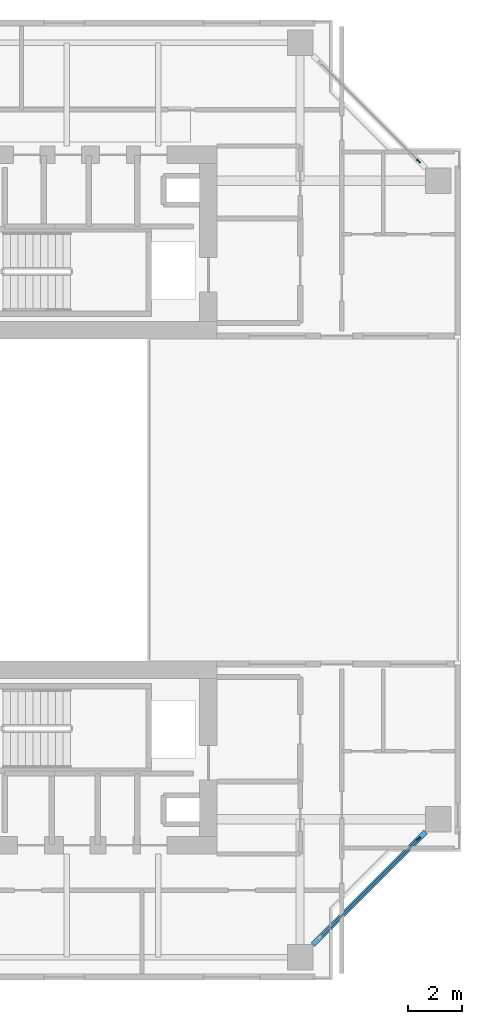
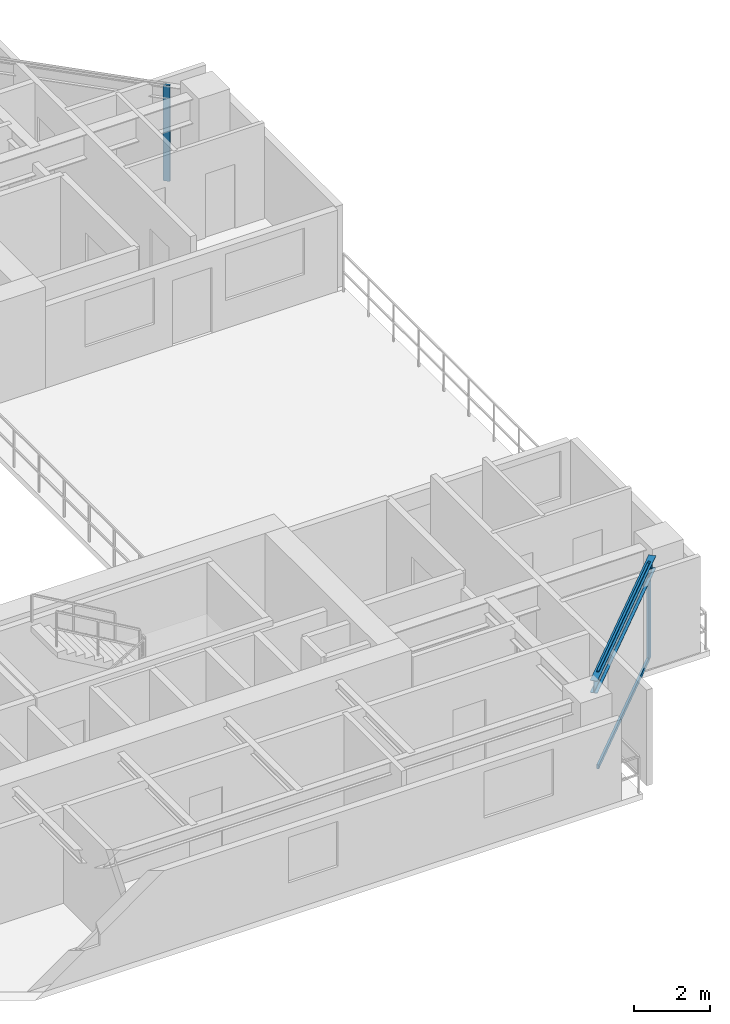
# One storey, part 4 of 14: 4 members, 1 beam, 2 elements without a shape of their own.
"""IFC4 building model written with IfcOpenShell, lengths in metres."""

from ifc_helpers import new_model, si_unit, direction, frame, origin, origin_2d, place, context, subcontext, project, spatial, rectangle, i_section, extrude, source, transform, mapped, material, layer, layer_set, material_profile, profile_set, type_object, element, aggregate, save


model = new_model("IFC4")

# Units and contexts
model_context = context("Model", 3, precision=1e-05, world=origin(), true_north=direction((0.0, 1.0)))
body_context = subcontext(model_context, "Body", "Model", "MODEL_VIEW")
ifc_project = project(units=[si_unit("LENGTHUNIT", "METRE"), si_unit("AREAUNIT", "SQUARE_METRE"), si_unit("VOLUMEUNIT", "CUBIC_METRE"), si_unit("PLANEANGLEUNIT", "RADIAN"), si_unit("MASSUNIT", "GRAM", prefix="KILO"), si_unit("THERMODYNAMICTEMPERATUREUNIT", "KELVIN"), si_unit("POWERUNIT", "WATT")], contexts=[model_context])

# Site, building, storey
site_placement = place(None, origin())
site = spatial("IfcSite", under=ifc_project, at=site_placement, CompositionType="ELEMENT")
building_placement = place(site_placement, origin())
building = spatial("IfcBuilding", under=site, at=building_placement, Name="Qiaomeng Ring Towers", CompositionType="ELEMENT")
storey_placement = place(building_placement, frame((0.0, 0.0, 153.5)))
storey = spatial("IfcBuildingStorey", under=building, at=storey_placement, Name="L44", CompositionType="ELEMENT", Elevation=153.5)

# Beam
ifc_material_1 = material(Name="Steel Q355B", Category="steel")
ifc_material_profile_1 = material_profile(ifc_material_1, i_section(OverallWidth=0.199951171875, OverallDepth=0.39990234375, WebThickness=0.008056640625, FlangeThickness=0.012939453125, FilletRadius=0.01611328125, at=origin_2d()), Name="HN 400x200x8x13")
ifc_profile_set_1 = profile_set([ifc_material_profile_1], Name="Steel Q355B")
beam_type = type_object("IfcBeamType", Name="STR-BM-HN400", PredefinedType="SPANDREL", material=ifc_profile_set_1)
shared_shape_1 = source(origin(), body_context, "Body", "SweptSolid", [
    extrude(i_section(OverallWidth=0.199951171875, OverallDepth=0.39990234375, WebThickness=0.008056640625, FlangeThickness=0.012939453125, FilletRadius=0.01611328125, at=origin_2d()), origin(), (0.0, 0.0, 1.0), 5.941650390625),
])
beam_placement = place(storey_placement, frame((31.374267578125, 6.42431640625, 2.8701171875), z_axis=(0.707106781187, 0.707106781187, 0.0), x_axis=(-0.707106781187, 0.707106781187, 0.0)))
element("IfcBeam", 1, at=beam_placement, inside=storey, type_object=beam_type, Name="L44 beam STR-SP-L44-T1-S2-E1", PredefinedType="SPANDREL", context=body_context, shape_type="MappedRepresentation", body=[
    mapped(shared_shape_1, transform((0.0, 0.0, 0.0), x_axis=(1.0, 0.0, 0.0), y_axis=(0.0, 1.0, 0.0), z_axis=(0.0, 0.0, 1.0), scale=1.0)),
])

# Curtain wall, member
ifc_material_2 = material(Name="Fluorocarbon dark-grey aluminium", Category="aluminium")
ifc_layer = layer(ifc_material_2, 0.14990234375, Name="Fluorocarbon dark-grey aluminium")
ifc_layer_set = layer_set([ifc_layer], Name="Fluorocarbon dark-grey aluminium")
curtain_wall_type = type_object("IfcCurtainWallType", Name="ARC-CW-3", PredefinedType="NOTDEFINED", material=ifc_layer_set)
curtain_wall_1_placement = place(storey_placement, origin())
curtain_wall_1 = element("IfcCurtainWall", 2, at=curtain_wall_1_placement, inside=storey, type_object=curtain_wall_type, Name="L44 Curtain Wall CW3", PredefinedType="NOTDEFINED")
ifc_material_profile_2 = material_profile(ifc_material_2, rectangle(XDim=0.070068359375, YDim=0.179931640625, at=origin_2d()), Name="ALU MULL 70x180")
ifc_profile_set_2 = profile_set([ifc_material_profile_2], Name="Fluorocarbon dark-grey aluminium")
member_type_1 = type_object("IfcMemberType", Name="ARC-CWM-160", PredefinedType="MULLION", material=ifc_profile_set_2)
shared_shape_2 = source(origin(), body_context, "Body", "SweptSolid", [
    extrude(rectangle(XDim=0.070068359375, YDim=0.179931640625, at=origin_2d()), origin(), (0.0, 0.0, 1.0), 3.070068359375),
])
member_1_placement = place(storey_placement, frame((35.310302734375, 10.3603515625, 0.0), z_axis=(0.0, 0.0, 1.0), x_axis=(-0.707106781187, 0.707106781187, 0.0)))
member_1 = element("IfcMember", 3, at=member_1_placement, type_object=member_type_1, Name="CW3 mullion 2", PredefinedType="MULLION", context=body_context, shape_type="MappedRepresentation", body=[
    mapped(shared_shape_2, transform((0.0, 0.0, 0.0), x_axis=(1.0, 0.0, 0.0), y_axis=(0.0, 1.0, 0.0), z_axis=(0.0, 0.0, 1.0), scale=1.0)),
])

curtain_wall_2_placement = place(storey_placement, origin())
curtain_wall_2 = element("IfcCurtainWall", 4, at=curtain_wall_2_placement, inside=storey, type_object=curtain_wall_type, Name="L44 Curtain Wall CW3", PredefinedType="NOTDEFINED")
member_2_placement = place(storey_placement, frame((35.310302734375, 35.6396484375, 0.0), z_axis=(0.0, 0.0, 1.0), x_axis=(-0.707106781187, -0.707106781187, 0.0)))
member_2 = element("IfcMember", 5, at=member_2_placement, type_object=member_type_1, Name="CW3 mullion 1", PredefinedType="MULLION", context=body_context, shape_type="MappedRepresentation", body=[
    mapped(shared_shape_2, transform((0.0, 0.0, 0.0), x_axis=(1.0, 0.0, 0.0), y_axis=(0.0, 1.0, 0.0), z_axis=(0.0, 0.0, 1.0), scale=1.0)),
])
aggregate(curtain_wall_2, [member_2])

# Member
ifc_material_profile_3 = material_profile(ifc_material_2, rectangle(XDim=0.06494140625, YDim=0.1298828125, at=origin_2d()), Name="ALU TRAN 65x130")
ifc_profile_set_3 = profile_set([ifc_material_profile_3], Name="Fluorocarbon dark-grey aluminium")
member_type_2 = type_object("IfcMemberType", Name="ARC-CWT-120", PredefinedType="USERDEFINED", material=ifc_profile_set_3)
shared_shape_3 = source(origin(), body_context, "Body", "SweptSolid", [
    extrude(rectangle(XDim=0.06494140625, YDim=0.1298828125, at=origin_2d()), origin(), (0.0, 0.0, 1.0), 5.12060546875),
])
member_3_placement = place(storey_placement, frame((31.66455078125, 6.714599609375, 0.032470703125), z_axis=(0.707106781187, 0.707106781187, 0.0), x_axis=(-0.707106781187, 0.707106781187, 0.0)))
member_3 = element("IfcMember", 6, at=member_3_placement, type_object=member_type_2, Name="CW3 transom 1.1", ObjectType="TRANSOM", PredefinedType="USERDEFINED", context=body_context, shape_type="MappedRepresentation", body=[
    mapped(shared_shape_3, transform((0.0, 0.0, 0.0), x_axis=(1.0, 0.0, 0.0), y_axis=(0.0, 1.0, 0.0), z_axis=(0.0, 0.0, 1.0), scale=1.0)),
])

member_4_placement = place(storey_placement, frame((31.66455078125, 6.714599609375, 3.03759765625), z_axis=(0.707106781187, 0.707106781187, 0.0), x_axis=(-0.707106781187, 0.707106781187, 0.0)))
member_4 = element("IfcMember", 7, at=member_4_placement, type_object=member_type_2, Name="CW3 transom 1.2", ObjectType="TRANSOM", PredefinedType="USERDEFINED", context=body_context, shape_type="MappedRepresentation", body=[
    mapped(shared_shape_3, transform((0.0, 0.0, 0.0), x_axis=(1.0, 0.0, 0.0), y_axis=(0.0, 1.0, 0.0), z_axis=(0.0, 0.0, 1.0), scale=1.0)),
])

aggregate(curtain_wall_1, [member_1, member_3, member_4])

save(model, "model.ifc")
